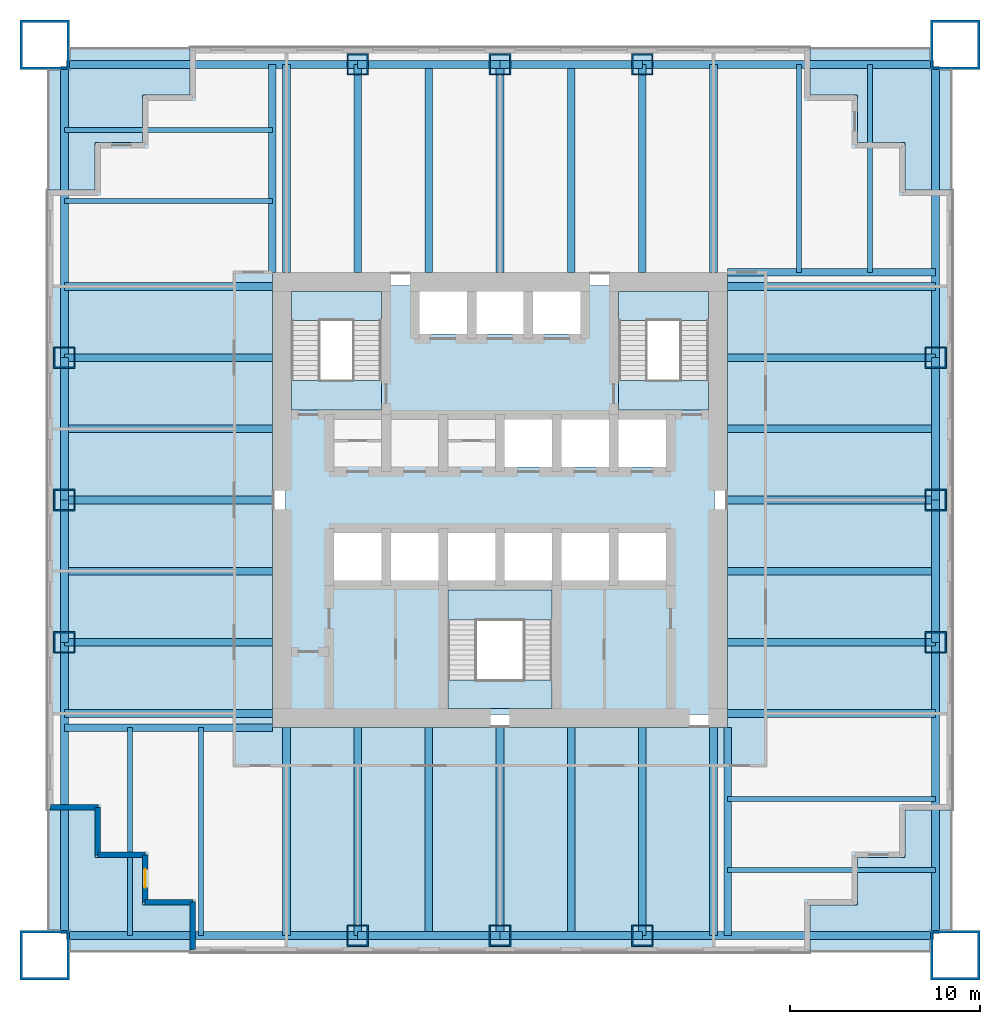
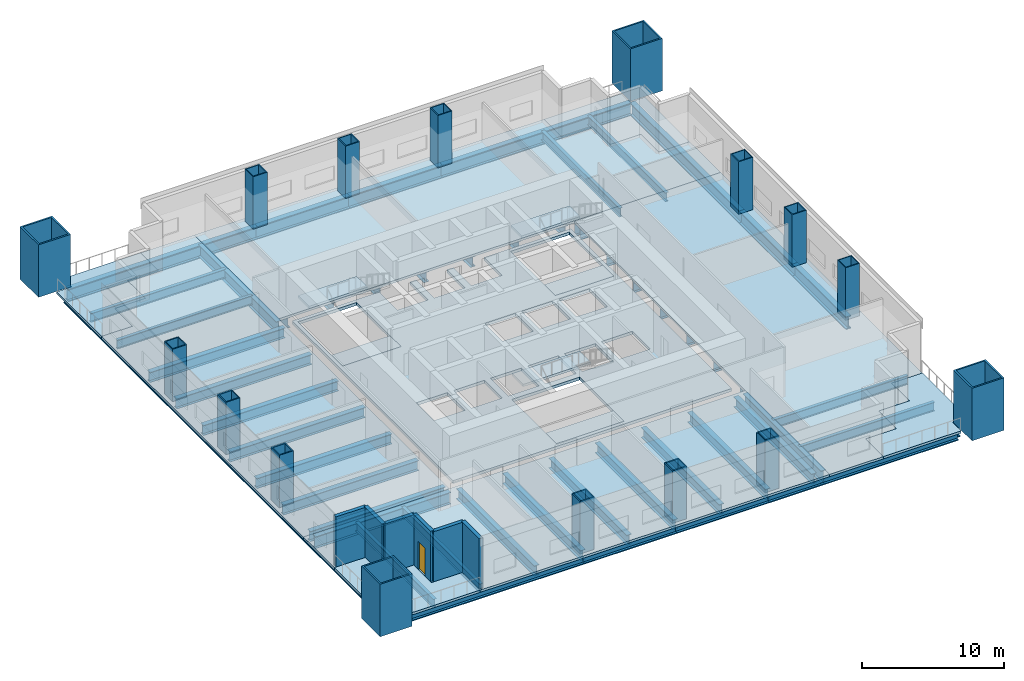
# One storey, part 1 of 7: 56 beams, 16 columns, 15 slabs, 6 walls, 1 door, 1 opening, 3 elements without a shape of their own.
"""IFC4 building model written with IfcOpenShell, lengths in metres."""

import ifcopenshell
import ifcopenshell.guid

model = None  # the IFC model being written
_history = None  # IfcOwnerHistory: only IFC2X3 demands one
_inside = {}  # id of a spatial element -> (the spatial element, [elements in it])
_under = {}  # id of a project, library or spatial element -> (it, [spatial elements below it])
_declared = {}  # id of a project -> (the project, [libraries it declares])
_typed = {}  # id of a type object -> (the type object, [elements of that type])
_made_of = {}  # id of a material, layer set ... -> (it, [elements and type objects made of it])


def new_model(schema):
    """Start an empty IFC model of exactly this schema.

    Asked for "IFC4X3", IfcOpenShell would pick the latest addendum, in which some entities
    have other attributes; the version numbers below select the first issue.
    IFC2X3 requires an IfcOwnerHistory on every rooted entity: one is made here for all.
    """
    global model, _history
    if schema == "IFC4X3":
        model = ifcopenshell.file(schema_version=(4, 3, 0, 0))
    else:
        model = ifcopenshell.file(schema=schema)
    _inside.clear()
    _under.clear()
    _declared.clear()
    _typed.clear()
    _made_of.clear()
    _history = None
    if model.schema == "IFC2X3":
        org = make("IfcOrganization", Name="unknown")
        user = make(
            "IfcPersonAndOrganization",
            ThePerson=make("IfcPerson", FamilyName="unknown"),
            TheOrganization=org,
        )
        app = make(
            "IfcApplication",
            ApplicationDeveloper=org,
            Version="unknown",
            ApplicationFullName="unknown",
            ApplicationIdentifier="unknown",
        )
        _history = make(
            "IfcOwnerHistory",
            OwningUser=user,
            OwningApplication=app,
            ChangeAction="ADDED",
            CreationDate=0,
        )
    return model


def make(cls, **values):
    """One entity of the class cls with the attributes given. An attribute that is None is left unset."""
    return model.create_entity(
        cls, **{name: value for name, value in values.items() if value is not None}
    )


def rooted(cls, **values):
    """An entity with a GlobalId (a new one), such as an element, a storey or a relation."""
    return make(cls, GlobalId=ifcopenshell.guid.new(), OwnerHistory=_history, **values)


def si_unit(unit_type, name, prefix=None):
    """IfcSIUnit, for example si_unit("LENGTHUNIT", "METRE", prefix="MILLI")."""
    return make("IfcSIUnit", UnitType=unit_type, Prefix=prefix, Name=name)


def assignment(units):
    """IfcUnitAssignment: the units of a project."""
    return None if units is None else make("IfcUnitAssignment", Units=units)


def point(xyz):
    """IfcCartesianPoint."""
    return None if xyz is None else make("IfcCartesianPoint", Coordinates=xyz)


def direction(xyz):
    """IfcDirection."""
    return None if xyz is None else make("IfcDirection", DirectionRatios=xyz)


def frame(location, z_axis=None, x_axis=None):
    """IfcAxis2Placement3D, a coordinate frame: its origin and axes. An axis left out is left unset."""
    return make(
        "IfcAxis2Placement3D",
        Location=point(location),
        Axis=direction(z_axis),
        RefDirection=direction(x_axis),
    )


def frame_2d(location, x_axis=None):
    """IfcAxis2Placement2D, a coordinate frame in the plane: its origin and x axis."""
    return make(
        "IfcAxis2Placement2D", Location=point(location), RefDirection=direction(x_axis)
    )


def origin():
    """The frame at (0, 0, 0) with its axes left unset."""
    return frame((0.0, 0.0, 0.0))


def origin_2d():
    """The frame at (0, 0) in the plane with its x axis left unset."""
    return frame_2d((0.0, 0.0))


def place(relative_to, where):
    """IfcLocalPlacement: puts the frame where relative to a parent placement (None: the world)."""
    return make(
        "IfcLocalPlacement", PlacementRelTo=relative_to, RelativePlacement=where
    )


def context(
    kind, dimensions, precision=None, world=None, true_north=None, identifier=None
):
    """IfcGeometricRepresentationContext, for example the 3D "Model" context."""
    return make(
        "IfcGeometricRepresentationContext",
        ContextIdentifier=identifier,
        ContextType=kind,
        CoordinateSpaceDimension=dimensions,
        Precision=precision,
        WorldCoordinateSystem=world,
        TrueNorth=true_north,
    )


def subcontext(parent, identifier, kind, view, scale=None):
    """IfcGeometricRepresentationSubContext, for example "Body" below "Model"."""
    return make(
        "IfcGeometricRepresentationSubContext",
        ContextIdentifier=identifier,
        ContextType=kind,
        ParentContext=parent,
        TargetScale=scale,
        TargetView=view,
    )


def project(units=None, contexts=None):
    """IfcProject with its units and contexts."""
    return rooted(
        "IfcProject",
        Name="project",
        RepresentationContexts=contexts,
        UnitsInContext=assignment(units),
    )


def spatial(cls, under=None, at=None, **own):
    """A site, building, storey or space (cls), placed at a placement, below another one or the project."""
    s = rooted(cls, ObjectPlacement=at, **own)
    if under is not None:
        _under.setdefault(under.id(), (under, []))[1].append(s)
    return s


def polyline(points):
    """IfcPolyline through the points."""
    return make("IfcPolyline", Points=[point(p) for p in points])


def profile(cls, at=None, kind="AREA", **sizes):
    """A parametric profile (cls). Its sizes go by their IFC names, for example OverallWidth=200.0."""
    return make(cls, ProfileType=kind, Position=at, **sizes)


def rectangle(**sizes):
    """IfcRectangleProfileDef."""
    return profile("IfcRectangleProfileDef", **sizes)


def hollow_rectangle(**sizes):
    """IfcRectangleHollowProfileDef."""
    return profile("IfcRectangleHollowProfileDef", **sizes)


def i_section(**sizes):
    """IfcIShapeProfileDef."""
    return profile("IfcIShapeProfileDef", **sizes)


def outline(outer, holes=None, kind="AREA"):
    """IfcArbitraryClosedProfileDef: a profile drawn as a closed curve; with holes, ...WithVoids."""
    if holes is None:
        return make("IfcArbitraryClosedProfileDef", ProfileType=kind, OuterCurve=outer)
    return make(
        "IfcArbitraryProfileDefWithVoids",
        ProfileType=kind,
        OuterCurve=outer,
        InnerCurves=holes,
    )


def extrude(swept, where, along, depth):
    """IfcExtrudedAreaSolid: the profile swept, set in the frame where, extruded along a direction by depth."""
    return make(
        "IfcExtrudedAreaSolid",
        SweptArea=swept,
        Position=where,
        ExtrudedDirection=direction(along),
        Depth=depth,
    )


def shape(context_of_items, identifier, shape_type, items):
    """IfcShapeRepresentation: the items that make up one representation, for example the "Body"."""
    return make(
        "IfcShapeRepresentation",
        ContextOfItems=context_of_items,
        RepresentationIdentifier=identifier,
        RepresentationType=shape_type,
        Items=items,
    )


def material(Name=None, Category=None):
    """IfcMaterial."""
    return make("IfcMaterial", Name=Name, Category=Category)


def layer(
    of_material, thickness, ventilated=None, Name=None, Category=None, Priority=None
):
    """IfcMaterialLayer: one layer of a wall or slab, of a material (None: an air gap)."""
    return make(
        "IfcMaterialLayer",
        Material=of_material,
        LayerThickness=thickness,
        IsVentilated=ventilated,
        Name=Name,
        Category=Category,
        Priority=Priority,
    )


def layer_set(layers, Name=None):
    """IfcMaterialLayerSet."""
    return make("IfcMaterialLayerSet", MaterialLayers=layers, LayerSetName=Name)


def material_profile(
    of_material, cross_section, Name=None, Category=None, Priority=None
):
    """IfcMaterialProfile: a cross section and its material."""
    return make(
        "IfcMaterialProfile",
        Name=Name,
        Material=of_material,
        Profile=cross_section,
        Priority=Priority,
        Category=Category,
    )


def profile_set(profiles, Name=None, composite=None):
    """IfcMaterialProfileSet."""
    return make(
        "IfcMaterialProfileSet",
        Name=Name,
        MaterialProfiles=profiles,
        CompositeProfile=composite,
    )


def made_of(thing, what):
    """Note that an element or type object is made of a material, layer set ...; save() writes the relation."""
    if what is not None:
        _made_of.setdefault(what.id(), (what, []))[1].append(thing)
    return thing


def type_object(cls, material=None, **own):
    """A type object (cls), such as IfcWallType, which elements share."""
    return made_of(rooted(cls, **own), material)


def element(
    cls,
    number,
    at=None,
    inside=None,
    cuts=None,
    type_object=None,
    material=None,
    context=None,
    identifier="Body",
    shape_type=None,
    held_by="IfcProductDefinitionShape",
    body=None,
    shapes=None,
    **own,
):
    """One element of the class cls, such as IfcWall. Its Tag is "e" and its number.

    at: its placement. inside: the storey or other place that contains it. cuts: it is an
    opening in that element (IfcRelVoidsElement). A single representation is given by context,
    identifier, shape_type and body (its items); several are given by shapes. held_by: the class
    of the entity that holds the representations. save() writes the other relations.
    """
    e = rooted(cls, Tag="e%d" % number, ObjectPlacement=at, **own)
    if body is not None:
        shapes = [shape(context, identifier, shape_type, body)]
    if shapes is not None:
        e.Representation = make(held_by, Representations=shapes)
    if inside is not None:
        _inside.setdefault(inside.id(), (inside, []))[1].append(e)
    if cuts is not None:
        rooted(
            "IfcRelVoidsElement", RelatingBuildingElement=cuts, RelatedOpeningElement=e
        )
    if type_object is not None:
        _typed.setdefault(type_object.id(), (type_object, []))[1].append(e)
    return made_of(e, material)


def fill(opening, filler):
    """IfcRelFillsElement: the door or window that sits in an opening."""
    return rooted(
        "IfcRelFillsElement",
        RelatingOpeningElement=opening,
        RelatedBuildingElement=filler,
    )


def aggregate(whole, parts):
    """IfcRelAggregates: a whole, such as a stair, and the parts it consists of."""
    return rooted("IfcRelAggregates", RelatingObject=whole, RelatedObjects=parts)


def save(model, path):
    """Write the relations noted so far, then the file.

    IfcRelAggregates (storeys below a building ...), IfcRelContainedInSpatialStructure (elements
    in a storey), IfcRelDefinesByType, IfcRelAssociatesMaterial and IfcRelDeclares: one each for
    every whole, place, type object, material and project.
    """
    for whole, parts in _under.values():
        aggregate(whole, parts)
    for where, things in _inside.values():
        rooted(
            "IfcRelContainedInSpatialStructure",
            RelatedElements=things,
            RelatingStructure=where,
        )
    for kind, things in _typed.values():
        rooted("IfcRelDefinesByType", RelatedObjects=things, RelatingType=kind)
    for what, things in _made_of.values():
        rooted("IfcRelAssociatesMaterial", RelatedObjects=things, RelatingMaterial=what)
    for by, libraries in _declared.values():
        rooted("IfcRelDeclares", RelatingContext=by, RelatedDefinitions=libraries)
    model.write(path)


model = new_model("IFC4")

# Units and contexts
model_context = context("Model", 3, precision=1e-05, world=origin(), true_north=direction((0.0, 1.0)))
body_context = subcontext(model_context, "Body", "Model", "MODEL_VIEW")
ifc_project = project(units=[si_unit("LENGTHUNIT", "METRE"), si_unit("AREAUNIT", "SQUARE_METRE"), si_unit("VOLUMEUNIT", "CUBIC_METRE"), si_unit("PLANEANGLEUNIT", "RADIAN"), si_unit("MASSUNIT", "GRAM", prefix="KILO")], contexts=[model_context])

# Site, building, storey
site_placement = place(None, origin())
site = spatial("IfcSite", under=ifc_project, at=site_placement, CompositionType="ELEMENT")
building_placement = place(site_placement, origin())
building = spatial("IfcBuilding", under=site, at=building_placement, Name="Tarangal Relay Tower", CompositionType="ELEMENT")
storey_placement = place(building_placement, frame((0.0, 0.0, 144.89990234375)))
storey = spatial("IfcBuildingStorey", under=building, at=storey_placement, Name="L29", CompositionType="ELEMENT", Elevation=144.89990234375)

# Columns
ifc_material_1 = material(Name="Steel ASTM A572 Grade 42", Category="steel")
ifc_material_profile_1 = material_profile(ifc_material_1, hollow_rectangle(XDim=2.60009765625, YDim=2.60009765625, WallThickness=0.1298828125, at=origin_2d()), Name="BOX2600X2600X130")
ifc_profile_set_1 = profile_set([ifc_material_profile_1], Name="Steel ASTM A572 Grade 42")
column_type_1 = type_object("IfcColumnType", Name="Mega column BOX2600X2600X130", PredefinedType="COLUMN", material=ifc_profile_set_1)
for number, where, z_axis, x_axis, name in (
    (1, (24.0, 24.0, 0.0), (0.0, 0.0, 1.0), (1.0, 0.0, 0.0), "Mega column MC2 NE L29"),
    (2, (24.0, -24.0, 0.0), (0.0, 0.0, 1.0), (1.0, 0.0, 0.0), "Mega column MC2 SE L29"),
    (3, (-24.0, -24.0, 0.0), (0.0, 0.0, 1.0), (1.0, 0.0, 0.0), "Mega column MC2 SW L29"),
    (4, (-24.0, 24.0, 0.0), (0.0, 0.0, 1.0), (1.0, 0.0, 0.0), "Mega column MC2 NW L29"),
):
    element("IfcColumn", number, at=place(storey_placement, frame(where, z_axis=z_axis, x_axis=x_axis)), inside=storey, type_object=column_type_1, Name=name, PredefinedType="COLUMN", context=body_context, shape_type="SweptSolid", body=[
        extrude(hollow_rectangle(XDim=2.60009765625, YDim=2.60009765625, WallThickness=0.1298828125, at=origin_2d()), origin(), (0.0, 0.0, 1.0), 4.5),
    ])
ifc_material_2 = material(Name="Steel ASTM A572 Grade 50", Category="steel")
ifc_material_profile_2 = material_profile(ifc_material_2, hollow_rectangle(XDim=1.14990234375, YDim=1.14990234375, WallThickness=0.074951171875, at=origin_2d()), Name="BOX1150X1150X75")
ifc_profile_set_2 = profile_set([ifc_material_profile_2], Name="Steel ASTM A572 Grade 50")
column_type_2 = type_object("IfcColumnType", Name="Perimeter column BOX1150X1150X75", PredefinedType="COLUMN", material=ifc_profile_set_2)
for number, where, z_axis, x_axis, name in (
    (5, (-7.5, 22.965087890625, 0.0), (0.0, 0.0, 1.0), (1.0, 0.0, 0.0), "Perimeter column PC3 N L29"),
    (6, (0.0, 22.965087890625, 0.0), (0.0, 0.0, 1.0), (1.0, 0.0, 0.0), "Perimeter column PC3 N L29"),
    (7, (7.5, 22.965087890625, 0.0), (0.0, 0.0, 1.0), (1.0, 0.0, 0.0), "Perimeter column PC3 N L29"),
    (8, (22.965087890625, 7.5, 0.0), (0.0, 0.0, 1.0), (1.0, 0.0, 0.0), "Perimeter column PC3 E L29"),
    (9, (22.965087890625, 0.0, 0.0), (0.0, 0.0, 1.0), (1.0, 0.0, 0.0), "Perimeter column PC3 E L29"),
    (10, (22.965087890625, -7.5, 0.0), (0.0, 0.0, 1.0), (1.0, 0.0, 0.0), "Perimeter column PC3 E L29"),
    (11, (7.5, -22.965087890625, 0.0), (0.0, 0.0, 1.0), (1.0, 0.0, 0.0), "Perimeter column PC3 S L29"),
    (12, (0.0, -22.965087890625, 0.0), (0.0, 0.0, 1.0), (1.0, 0.0, 0.0), "Perimeter column PC3 S L29"),
    (13, (-7.5, -22.965087890625, 0.0), (0.0, 0.0, 1.0), (1.0, 0.0, 0.0), "Perimeter column PC3 S L29"),
    (14, (-22.965087890625, -7.5, 0.0), (0.0, 0.0, 1.0), (1.0, 0.0, 0.0), "Perimeter column PC3 W L29"),
    (15, (-22.965087890625, 0.0, 0.0), (0.0, 0.0, 1.0), (1.0, 0.0, 0.0), "Perimeter column PC3 W L29"),
    (16, (-22.965087890625, 7.5, 0.0), (0.0, 0.0, 1.0), (1.0, 0.0, 0.0), "Perimeter column PC3 W L29"),
):
    element("IfcColumn", number, at=place(storey_placement, frame(where, z_axis=z_axis, x_axis=x_axis)), inside=storey, type_object=column_type_2, Name=name, PredefinedType="COLUMN", context=body_context, shape_type="SweptSolid", body=[
        extrude(hollow_rectangle(XDim=1.14990234375, YDim=1.14990234375, WallThickness=0.074951171875, at=origin_2d()), origin(), (0.0, 0.0, 1.0), 4.5),
    ])

# Beams
ifc_material_3 = material(Name="Steel ASTM A992", Category="steel")
ifc_material_profile_3 = material_profile(ifc_material_3, i_section(OverallWidth=0.2666015625, OverallDepth=0.76953125, WebThickness=0.015625, FlangeThickness=0.025390625, at=origin_2d()), Name="W30X132")
ifc_profile_set_3 = profile_set([ifc_material_profile_3], Name="Steel ASTM A992")
beam_type_1 = type_object("IfcBeamType", Name="Corner beam W30X132", PredefinedType="JOIST", material=ifc_profile_set_3)
for number, where, z_axis, x_axis, name in (
    (17, (15.75, 12.0, -0.584716796875), (0.0, 1.0, 0.0), (-1.0, 0.0, 0.0), "Corner beam CB13 N L29"),
    (18, (19.5, 12.0, -0.584716796875), (0.0, 1.0, 0.0), (-1.0, 0.0, 0.0), "Corner beam CB13 N L29"),
    (19, (12.0, -15.75, -0.584716796875), (1.0, 0.0, 0.0), (0.0, 1.0, 0.0), "Corner beam CB13 E L29"),
    (20, (12.0, -19.5, -0.584716796875), (1.0, 0.0, 0.0), (0.0, 1.0, 0.0), "Corner beam CB13 E L29"),
    (21, (-15.75, -12.0, -0.584716796875), (0.0, -1.0, 0.0), (1.0, 0.0, 0.0), "Corner beam CB13 S L29"),
    (22, (-19.5, -12.0, -0.584716796875), (0.0, -1.0, 0.0), (1.0, 0.0, 0.0), "Corner beam CB13 S L29"),
    (23, (-12.0, 15.75, -0.584716796875), (-1.0, 0.0, 0.0), (0.0, -1.0, 0.0), "Corner beam CB13 W L29"),
    (24, (-12.0, 19.5, -0.584716796875), (-1.0, 0.0, 0.0), (0.0, -1.0, 0.0), "Corner beam CB13 W L29"),
):
    element("IfcBeam", number, at=place(storey_placement, frame(where, z_axis=z_axis, x_axis=x_axis)), inside=storey, type_object=beam_type_1, Name=name, PredefinedType="JOIST", context=body_context, shape_type="SweptSolid", body=[
        extrude(i_section(OverallWidth=0.2666015625, OverallDepth=0.76953125, WebThickness=0.015625, FlangeThickness=0.025390625, at=origin_2d()), origin(), (0.0, 0.0, 1.0), 10.965087890625),
    ])
ifc_material_profile_4 = material_profile(ifc_material_3, i_section(OverallWidth=0.4013671875, OverallDepth=1.01611328125, WebThickness=0.02099609375, FlangeThickness=0.0400390625, at=origin_2d()), Name="W40X277")
ifc_profile_set_4 = profile_set([ifc_material_profile_4], Name="Steel ASTM A992")
beam_type_2 = type_object("IfcBeamType", Name="Corner girder W40X277", PredefinedType="BEAM", material=ifc_profile_set_4)
for number, where, z_axis, x_axis, name in (
    (25, (12.0, 12.0, -0.7080078125), (1.0, 0.0, 0.0), (0.0, 1.0, 0.0), "Corner girder CG3 N L29"),
    (26, (12.0, -12.0, -0.7080078125), (0.0, -1.0, 0.0), (1.0, 0.0, 0.0), "Corner girder CG3 E L29"),
    (27, (-12.0, -12.0, -0.7080078125), (-1.0, 0.0, 0.0), (0.0, -1.0, 0.0), "Corner girder CG3 S L29"),
    (28, (-12.0, 12.0, -0.7080078125), (0.0, 1.0, 0.0), (-1.0, 0.0, 0.0), "Corner girder CG3 W L29"),
):
    element("IfcBeam", number, at=place(storey_placement, frame(where, z_axis=z_axis, x_axis=x_axis)), inside=storey, type_object=beam_type_2, Name=name, PredefinedType="BEAM", context=body_context, shape_type="SweptSolid", body=[
        extrude(i_section(OverallWidth=0.4013671875, OverallDepth=1.01611328125, WebThickness=0.02099609375, FlangeThickness=0.0400390625, at=origin_2d()), origin(), (0.0, 0.0, 1.0), 10.965087890625),
    ])
ifc_material_profile_5 = material_profile(ifc_material_3, i_section(OverallWidth=0.42431640625, OverallDepth=1.09228515625, WebThickness=0.04541015625, FlangeThickness=0.08203125, at=origin_2d()), Name="W40X593")
ifc_profile_set_5 = profile_set([ifc_material_profile_5], Name="Steel ASTM A992")
beam_type_3 = type_object("IfcBeamType", Name="Edge girder W40X593", PredefinedType="SPANDREL", material=ifc_profile_set_5)
beam_1_placement = place(storey_placement, frame((-22.85009765625, 22.965087890625, -0.74609375), z_axis=(1.0, 0.0, 0.0), x_axis=(0.0, 1.0, 0.0)))
element("IfcBeam", 29, at=beam_1_placement, inside=storey, type_object=beam_type_3, Name="Edge girder EG9 N L29", PredefinedType="SPANDREL", context=body_context, shape_type="SweptSolid", body=[
    extrude(i_section(OverallWidth=0.42431640625, OverallDepth=1.09228515625, WebThickness=0.04541015625, FlangeThickness=0.08203125, at=origin_2d()), origin(), (0.0, 0.0, 1.0), 15.35009765625),
])
for number, where, z_axis, x_axis, name in (
    (30, (-7.5, 22.965087890625, -0.74609375), (1.0, 0.0, 0.0), (0.0, 1.0, 0.0), "Edge girder EG9 N L29"),
    (31, (0.0, 22.965087890625, -0.74609375), (1.0, 0.0, 0.0), (0.0, 1.0, 0.0), "Edge girder EG9 N L29"),
):
    element("IfcBeam", number, at=place(storey_placement, frame(where, z_axis=z_axis, x_axis=x_axis)), inside=storey, type_object=beam_type_3, Name=name, PredefinedType="SPANDREL", context=body_context, shape_type="SweptSolid", body=[
        extrude(i_section(OverallWidth=0.42431640625, OverallDepth=1.09228515625, WebThickness=0.04541015625, FlangeThickness=0.08203125, at=origin_2d()), origin(), (0.0, 0.0, 1.0), 7.5),
    ])
for number, where, z_axis, x_axis, name in (
    (32, (7.5, 22.965087890625, -0.74609375), (1.0, 0.0, 0.0), (0.0, 1.0, 0.0), "Edge girder EG9 N L29"),
    (33, (22.965087890625, 22.85009765625, -0.74609375), (0.0, -1.0, 0.0), (1.0, 0.0, 0.0), "Edge girder EG9 E L29"),
):
    element("IfcBeam", number, at=place(storey_placement, frame(where, z_axis=z_axis, x_axis=x_axis)), inside=storey, type_object=beam_type_3, Name=name, PredefinedType="SPANDREL", context=body_context, shape_type="SweptSolid", body=[
        extrude(i_section(OverallWidth=0.42431640625, OverallDepth=1.09228515625, WebThickness=0.04541015625, FlangeThickness=0.08203125, at=origin_2d()), origin(), (0.0, 0.0, 1.0), 15.35009765625),
    ])
for number, where, z_axis, x_axis, name in (
    (34, (22.965087890625, 7.5, -0.74609375), (0.0, -1.0, 0.0), (1.0, 0.0, 0.0), "Edge girder EG9 E L29"),
    (35, (22.965087890625, 0.0, -0.74609375), (0.0, -1.0, 0.0), (1.0, 0.0, 0.0), "Edge girder EG9 E L29"),
):
    element("IfcBeam", number, at=place(storey_placement, frame(where, z_axis=z_axis, x_axis=x_axis)), inside=storey, type_object=beam_type_3, Name=name, PredefinedType="SPANDREL", context=body_context, shape_type="SweptSolid", body=[
        extrude(i_section(OverallWidth=0.42431640625, OverallDepth=1.09228515625, WebThickness=0.04541015625, FlangeThickness=0.08203125, at=origin_2d()), origin(), (0.0, 0.0, 1.0), 7.5),
    ])
for number, where, z_axis, x_axis, name in (
    (36, (22.965087890625, -7.5, -0.74609375), (0.0, -1.0, 0.0), (1.0, 0.0, 0.0), "Edge girder EG9 E L29"),
    (37, (22.85009765625, -22.965087890625, -0.74609375), (-1.0, 0.0, 0.0), (0.0, -1.0, 0.0), "Edge girder EG9 S L29"),
):
    element("IfcBeam", number, at=place(storey_placement, frame(where, z_axis=z_axis, x_axis=x_axis)), inside=storey, type_object=beam_type_3, Name=name, PredefinedType="SPANDREL", context=body_context, shape_type="SweptSolid", body=[
        extrude(i_section(OverallWidth=0.42431640625, OverallDepth=1.09228515625, WebThickness=0.04541015625, FlangeThickness=0.08203125, at=origin_2d()), origin(), (0.0, 0.0, 1.0), 15.35009765625),
    ])
for number, where, z_axis, x_axis, name in (
    (38, (7.5, -22.965087890625, -0.74609375), (-1.0, 0.0, 0.0), (0.0, -1.0, 0.0), "Edge girder EG9 S L29"),
    (39, (0.0, -22.965087890625, -0.74609375), (-1.0, 0.0, 0.0), (0.0, -1.0, 0.0), "Edge girder EG9 S L29"),
):
    element("IfcBeam", number, at=place(storey_placement, frame(where, z_axis=z_axis, x_axis=x_axis)), inside=storey, type_object=beam_type_3, Name=name, PredefinedType="SPANDREL", context=body_context, shape_type="SweptSolid", body=[
        extrude(i_section(OverallWidth=0.42431640625, OverallDepth=1.09228515625, WebThickness=0.04541015625, FlangeThickness=0.08203125, at=origin_2d()), origin(), (0.0, 0.0, 1.0), 7.5),
    ])
for number, where, z_axis, x_axis, name in (
    (40, (-7.5, -22.965087890625, -0.74609375), (-1.0, 0.0, 0.0), (0.0, -1.0, 0.0), "Edge girder EG9 S L29"),
    (41, (-22.965087890625, -22.85009765625, -0.74609375), (0.0, 1.0, 0.0), (-1.0, 0.0, 0.0), "Edge girder EG9 W L29"),
):
    element("IfcBeam", number, at=place(storey_placement, frame(where, z_axis=z_axis, x_axis=x_axis)), inside=storey, type_object=beam_type_3, Name=name, PredefinedType="SPANDREL", context=body_context, shape_type="SweptSolid", body=[
        extrude(i_section(OverallWidth=0.42431640625, OverallDepth=1.09228515625, WebThickness=0.04541015625, FlangeThickness=0.08203125, at=origin_2d()), origin(), (0.0, 0.0, 1.0), 15.35009765625),
    ])
for number, where, z_axis, x_axis, name in (
    (42, (-22.965087890625, -7.5, -0.74609375), (0.0, 1.0, 0.0), (-1.0, 0.0, 0.0), "Edge girder EG9 W L29"),
    (43, (-22.965087890625, 0.0, -0.74609375), (0.0, 1.0, 0.0), (-1.0, 0.0, 0.0), "Edge girder EG9 W L29"),
):
    element("IfcBeam", number, at=place(storey_placement, frame(where, z_axis=z_axis, x_axis=x_axis)), inside=storey, type_object=beam_type_3, Name=name, PredefinedType="SPANDREL", context=body_context, shape_type="SweptSolid", body=[
        extrude(i_section(OverallWidth=0.42431640625, OverallDepth=1.09228515625, WebThickness=0.04541015625, FlangeThickness=0.08203125, at=origin_2d()), origin(), (0.0, 0.0, 1.0), 7.5),
    ])
beam_2_placement = place(storey_placement, frame((-22.965087890625, 7.5, -0.74609375), z_axis=(0.0, 1.0, 0.0), x_axis=(-1.0, 0.0, 0.0)))
element("IfcBeam", 44, at=beam_2_placement, inside=storey, type_object=beam_type_3, Name="Edge girder EG9 W L29", PredefinedType="SPANDREL", context=body_context, shape_type="SweptSolid", body=[
    extrude(i_section(OverallWidth=0.42431640625, OverallDepth=1.09228515625, WebThickness=0.04541015625, FlangeThickness=0.08203125, at=origin_2d()), origin(), (0.0, 0.0, 1.0), 15.35009765625),
])
ifc_material_profile_6 = material_profile(ifc_material_3, i_section(OverallWidth=0.40380859375, OverallDepth=0.86865234375, WebThickness=0.02099609375, FlangeThickness=0.03564453125, at=origin_2d()), Name="W33X241")
ifc_profile_set_6 = profile_set([ifc_material_profile_6], Name="Steel ASTM A992")
beam_type_4 = type_object("IfcBeamType", Name="Floor beam W33X241", PredefinedType="BEAM", material=ifc_profile_set_6)
for number, where, z_axis, x_axis, name in (
    (45, (-11.25, 12.0, -0.63427734375), (0.0, 1.0, 0.0), (-1.0, 0.0, 0.0), "Floor beam RB11 N L29"),
    (46, (-7.5, 12.0, -0.63427734375), (0.0, 1.0, 0.0), (-1.0, 0.0, 0.0), "Floor beam RB11 N L29"),
    (47, (-3.75, 12.0, -0.63427734375), (0.0, 1.0, 0.0), (-1.0, 0.0, 0.0), "Floor beam RB11 N L29"),
    (48, (0.0, 12.0, -0.63427734375), (0.0, 1.0, 0.0), (-1.0, 0.0, 0.0), "Floor beam RB11 N L29"),
    (49, (3.75, 12.0, -0.63427734375), (0.0, 1.0, 0.0), (-1.0, 0.0, 0.0), "Floor beam RB11 N L29"),
    (50, (7.5, 12.0, -0.63427734375), (0.0, 1.0, 0.0), (-1.0, 0.0, 0.0), "Floor beam RB11 N L29"),
    (51, (11.25, 12.0, -0.63427734375), (0.0, 1.0, 0.0), (-1.0, 0.0, 0.0), "Floor beam RB11 N L29"),
    (52, (12.0, 11.25, -0.63427734375), (1.0, 0.0, 0.0), (0.0, 1.0, 0.0), "Floor beam RB11 E L29"),
    (53, (12.0, 7.5, -0.63427734375), (1.0, 0.0, 0.0), (0.0, 1.0, 0.0), "Floor beam RB11 E L29"),
    (54, (12.0, 3.75, -0.63427734375), (1.0, 0.0, 0.0), (0.0, 1.0, 0.0), "Floor beam RB11 E L29"),
    (55, (12.0, 0.0, -0.63427734375), (1.0, 0.0, 0.0), (0.0, 1.0, 0.0), "Floor beam RB11 E L29"),
    (56, (12.0, -3.75, -0.63427734375), (1.0, 0.0, 0.0), (0.0, 1.0, 0.0), "Floor beam RB11 E L29"),
    (57, (12.0, -7.5, -0.63427734375), (1.0, 0.0, 0.0), (0.0, 1.0, 0.0), "Floor beam RB11 E L29"),
    (58, (12.0, -11.25, -0.63427734375), (1.0, 0.0, 0.0), (0.0, 1.0, 0.0), "Floor beam RB11 E L29"),
    (59, (11.25, -12.0, -0.63427734375), (0.0, -1.0, 0.0), (1.0, 0.0, 0.0), "Floor beam RB11 S L29"),
    (60, (7.5, -12.0, -0.63427734375), (0.0, -1.0, 0.0), (1.0, 0.0, 0.0), "Floor beam RB11 S L29"),
    (61, (3.75, -12.0, -0.63427734375), (0.0, -1.0, 0.0), (1.0, 0.0, 0.0), "Floor beam RB11 S L29"),
    (62, (0.0, -12.0, -0.63427734375), (0.0, -1.0, 0.0), (1.0, 0.0, 0.0), "Floor beam RB11 S L29"),
    (63, (-3.75, -12.0, -0.63427734375), (0.0, -1.0, 0.0), (1.0, 0.0, 0.0), "Floor beam RB11 S L29"),
    (64, (-7.5, -12.0, -0.63427734375), (0.0, -1.0, 0.0), (1.0, 0.0, 0.0), "Floor beam RB11 S L29"),
    (65, (-11.25, -12.0, -0.63427734375), (0.0, -1.0, 0.0), (1.0, 0.0, 0.0), "Floor beam RB11 S L29"),
    (66, (-12.0, -11.25, -0.63427734375), (-1.0, 0.0, 0.0), (0.0, -1.0, 0.0), "Floor beam RB11 W L29"),
    (67, (-12.0, -7.5, -0.63427734375), (-1.0, 0.0, 0.0), (0.0, -1.0, 0.0), "Floor beam RB11 W L29"),
    (68, (-12.0, -3.75, -0.63427734375), (-1.0, 0.0, 0.0), (0.0, -1.0, 0.0), "Floor beam RB11 W L29"),
    (69, (-12.0, 0.0, -0.63427734375), (-1.0, 0.0, 0.0), (0.0, -1.0, 0.0), "Floor beam RB11 W L29"),
    (70, (-12.0, 3.75, -0.63427734375), (-1.0, 0.0, 0.0), (0.0, -1.0, 0.0), "Floor beam RB11 W L29"),
    (71, (-12.0, 7.5, -0.63427734375), (-1.0, 0.0, 0.0), (0.0, -1.0, 0.0), "Floor beam RB11 W L29"),
    (72, (-12.0, 11.25, -0.63427734375), (-1.0, 0.0, 0.0), (0.0, -1.0, 0.0), "Floor beam RB11 W L29"),
):
    element("IfcBeam", number, at=place(storey_placement, frame(where, z_axis=z_axis, x_axis=x_axis)), inside=storey, type_object=beam_type_4, Name=name, PredefinedType="BEAM", context=body_context, shape_type="SweptSolid", body=[
        extrude(i_section(OverallWidth=0.40380859375, OverallDepth=0.86865234375, WebThickness=0.02099609375, FlangeThickness=0.03564453125, at=origin_2d()), origin(), (0.0, 0.0, 1.0), 10.965087890625),
    ])

# Slabs
ifc_material_4 = material(Name="Concrete fc' 35 MPa", Category="concrete")
ifc_layer_1 = layer(ifc_material_4, 0.25)
ifc_layer_set_1 = layer_set([ifc_layer_1], Name="Core floor slab 250")
slab_type_1 = type_object("IfcSlabType", Name="Core floor slab 250", PredefinedType="FLOOR", material=ifc_layer_set_1)
slab_1_placement = place(storey_placement, frame((0.0, 0.0, -0.25)))
element("IfcSlab", 73, at=slab_1_placement, inside=storey, type_object=slab_type_1, Name="Core floor slab L29", PredefinedType="FLOOR", context=body_context, shape_type="SweptSolid", body=[
    extrude(outline(polyline([(11.300048828125, 11.300048828125), (11.300048828125, -11.300048828125), (-11.300048828125, -11.300048828125), (-11.300048828125, 11.300048828125), (-4.25, 11.300048828125), (-4.25, 8.75), (-1.75, 8.75), (-1.75, 11.300048828125), (-1.25, 11.300048828125), (-1.25, 8.75), (1.25, 8.75), (1.25, 11.300048828125), (1.75, 11.300048828125), (1.75, 8.75), (4.25, 8.75), (4.25, 11.300048828125), (11.300048828125, 11.300048828125)]), holes=[polyline([(2.75, -4.75), (-2.75, -4.75), (-2.75, -11.0), (2.75, -11.0), (2.75, -4.75)]), polyline([(-6.25, -4.25), (-6.25, -1.75), (-8.75, -1.75), (-8.75, -4.25), (-6.25, -4.25)]), polyline([(-3.25, -4.25), (-3.25, -1.75), (-5.75, -1.75), (-5.75, -4.25), (-3.25, -4.25)]), polyline([(-0.25, -4.25), (-0.25, -1.75), (-2.75, -1.75), (-2.75, -4.25), (-0.25, -4.25)]), polyline([(2.75, 1.75), (2.75, 4.25), (0.25, 4.25), (0.25, 1.75), (2.75, 1.75)]), polyline([(-6.25, 4.75), (-6.25, 11.0), (-11.0, 11.0), (-11.0, 4.75), (-6.25, 4.75)]), polyline([(2.75, -4.25), (2.75, -1.75), (0.25, -1.75), (0.25, -4.25), (2.75, -4.25)]), polyline([(5.75, -4.25), (5.75, -1.75), (3.25, -1.75), (3.25, -4.25), (5.75, -4.25)]), polyline([(8.75, -4.25), (8.75, -1.75), (6.25, -1.75), (6.25, -4.25), (8.75, -4.25)]), polyline([(5.75, 1.75), (5.75, 4.25), (3.25, 4.25), (3.25, 1.75), (5.75, 1.75)]), polyline([(8.75, 1.75), (8.75, 4.25), (6.25, 4.25), (6.25, 1.75), (8.75, 1.75)]), polyline([(11.0, 4.75), (11.0, 11.0), (6.25, 11.0), (6.25, 4.75), (11.0, 4.75)])]), origin(), (0.0, 0.0, 1.0), 0.25),
])
ifc_layer_2 = layer(ifc_material_4, 0.199951171875)
ifc_layer_set_2 = layer_set([ifc_layer_2], Name="Floor slab 200")
slab_type_2 = type_object("IfcSlabType", Name="Floor slab 200", PredefinedType="FLOOR", material=ifc_layer_set_2)
slab_2_placement = place(storey_placement, frame((0.0, 0.0, -0.199951171875)))
element("IfcSlab", 74, at=slab_2_placement, inside=storey, type_object=slab_type_2, Name="Floor slab FS2 L29 north bay", PredefinedType="FLOOR", context=body_context, shape_type="SweptSolid", body=[
    extrude(outline(polyline([(16.35009765625, 23.85009765625), (16.35009765625, 21.35009765625), (18.85009765625, 21.35009765625), (18.85009765625, 18.85009765625), (21.35009765625, 18.85009765625), (21.35009765625, 16.35009765625), (23.85009765625, 16.35009765625), (23.85009765625, 12.0), (-12.0, 12.0), (-12.0, 23.85009765625), (16.35009765625, 23.85009765625)])), origin(), (0.0, 0.0, 1.0), 0.199951171875),
])
slab_3_placement = place(storey_placement, frame((0.0, 0.0, -0.199951171875)))
element("IfcSlab", 75, at=slab_3_placement, inside=storey, type_object=slab_type_2, Name="Floor slab FS2 L29 east bay", PredefinedType="FLOOR", context=body_context, shape_type="SweptSolid", body=[
    extrude(outline(polyline([(23.85009765625, -16.35009765625), (21.35009765625, -16.35009765625), (21.35009765625, -18.85009765625), (18.85009765625, -18.85009765625), (18.85009765625, -21.35009765625), (16.35009765625, -21.35009765625), (16.35009765625, -23.85009765625), (12.0, -23.85009765625), (12.0, 12.0), (23.85009765625, 12.0), (23.85009765625, -16.35009765625)])), origin(), (0.0, 0.0, 1.0), 0.199951171875),
])
slab_4_placement = place(storey_placement, frame((0.0, 0.0, -0.199951171875)))
element("IfcSlab", 76, at=slab_4_placement, inside=storey, type_object=slab_type_2, Name="Floor slab FS2 L29 south bay", PredefinedType="FLOOR", context=body_context, shape_type="SweptSolid", body=[
    extrude(outline(polyline([(-16.35009765625, -23.85009765625), (-16.35009765625, -21.35009765625), (-18.85009765625, -21.35009765625), (-18.85009765625, -18.85009765625), (-21.35009765625, -18.85009765625), (-21.35009765625, -16.35009765625), (-23.85009765625, -16.35009765625), (-23.85009765625, -12.0), (12.0, -12.0), (12.0, -23.85009765625), (-16.35009765625, -23.85009765625)])), origin(), (0.0, 0.0, 1.0), 0.199951171875),
])
slab_5_placement = place(storey_placement, frame((0.0, 0.0, -0.199951171875)))
element("IfcSlab", 77, at=slab_5_placement, inside=storey, type_object=slab_type_2, Name="Floor slab FS2 L29 west bay", PredefinedType="FLOOR", context=body_context, shape_type="SweptSolid", body=[
    extrude(outline(polyline([(-12.0, 23.85009765625), (-12.0, -12.0), (-23.85009765625, -12.0), (-23.85009765625, 16.35009765625), (-21.35009765625, 16.35009765625), (-21.35009765625, 18.85009765625), (-18.85009765625, 18.85009765625), (-18.85009765625, 21.35009765625), (-16.35009765625, 21.35009765625), (-16.35009765625, 23.85009765625), (-12.0, 23.85009765625)])), origin(), (0.0, 0.0, 1.0), 0.199951171875),
])

# Stair, slabs
ifc_material_5 = material(Name="Steel ASTM A992 stair flight", Category="steel")
stair_type = type_object("IfcStairType", Name="Core stair 1500", PredefinedType="HALF_TURN_STAIR", material=ifc_material_5)
stair_1_placement = place(storey_placement, origin())
stair_1 = element("IfcStair", 78, at=stair_1_placement, inside=storey, type_object=stair_type, Name="Stair ST-A L29", PredefinedType="HALF_TURN_STAIR")
ifc_layer_3 = layer(ifc_material_4, 0.199951171875)
ifc_layer_set_3 = layer_set([ifc_layer_3], Name="Stair landing 200")
slab_type_3 = type_object("IfcSlabType", Name="Stair landing 200", PredefinedType="LANDING", material=ifc_layer_set_3)
slab_6_placement = place(storey_placement, frame((0.0, 0.0, -0.199951171875)))
slab_6 = element("IfcSlab", 79, at=slab_6_placement, type_object=slab_type_3, Name="ST-A landing 1", PredefinedType="LANDING", context=body_context, shape_type="SweptSolid", body=[
    extrude(outline(polyline([(-11.0, 4.75), (-6.25, 4.75), (-6.25, 6.300048828125), (-11.0, 6.300048828125), (-11.0, 4.75)])), origin(), (0.0, 0.0, 1.0), 0.199951171875),
])
slab_7_placement = place(storey_placement, frame((0.0, 0.0, 2.050048828125)))
slab_7 = element("IfcSlab", 80, at=slab_7_placement, type_object=slab_type_3, Name="ST-A landing 2", PredefinedType="LANDING", context=body_context, shape_type="SweptSolid", body=[
    extrude(outline(polyline([(-11.0, 9.468017578125), (-6.25, 9.468017578125), (-6.25, 11.0), (-11.0, 11.0), (-11.0, 9.468017578125)])), origin(), (0.0, 0.0, 1.0), 0.199951171875),
])
aggregate(stair_1, [slab_6, slab_7])

stair_2_placement = place(storey_placement, origin())
stair_2 = element("IfcStair", 81, at=stair_2_placement, inside=storey, type_object=stair_type, Name="Stair ST-B L29", PredefinedType="HALF_TURN_STAIR")
slab_8_placement = place(storey_placement, frame((0.0, 0.0, -0.199951171875)))
slab_8 = element("IfcSlab", 82, at=slab_8_placement, type_object=slab_type_3, Name="ST-B landing 1", PredefinedType="LANDING", context=body_context, shape_type="SweptSolid", body=[
    extrude(outline(polyline([(6.25, 4.75), (11.0, 4.75), (11.0, 6.300048828125), (6.25, 6.300048828125), (6.25, 4.75)])), origin(), (0.0, 0.0, 1.0), 0.199951171875),
])
slab_9_placement = place(storey_placement, frame((0.0, 0.0, 2.050048828125)))
slab_9 = element("IfcSlab", 83, at=slab_9_placement, type_object=slab_type_3, Name="ST-B landing 2", PredefinedType="LANDING", context=body_context, shape_type="SweptSolid", body=[
    extrude(outline(polyline([(6.25, 9.468017578125), (11.0, 9.468017578125), (11.0, 11.0), (6.25, 11.0), (6.25, 9.468017578125)])), origin(), (0.0, 0.0, 1.0), 0.199951171875),
])
aggregate(stair_2, [slab_8, slab_9])

stair_3_placement = place(storey_placement, origin())
stair_3 = element("IfcStair", 84, at=stair_3_placement, inside=storey, type_object=stair_type, Name="Stair ST-C L29", PredefinedType="HALF_TURN_STAIR")
slab_10_placement = place(storey_placement, frame((0.0, 0.0, -0.199951171875)))
slab_10 = element("IfcSlab", 85, at=slab_10_placement, type_object=slab_type_3, Name="ST-C landing 1", PredefinedType="LANDING", context=body_context, shape_type="SweptSolid", body=[
    extrude(outline(polyline([(-2.75, -11.0), (2.75, -11.0), (2.75, -9.5), (-2.75, -9.5), (-2.75, -11.0)])), origin(), (0.0, 0.0, 1.0), 0.199951171875),
])
slab_11_placement = place(storey_placement, frame((0.0, 0.0, 2.050048828125)))
slab_11 = element("IfcSlab", 86, at=slab_11_placement, type_object=slab_type_3, Name="ST-C landing 2", PredefinedType="LANDING", context=body_context, shape_type="SweptSolid", body=[
    extrude(outline(polyline([(-2.75, -6.33203125), (2.75, -6.33203125), (2.75, -4.75), (-2.75, -4.75), (-2.75, -6.33203125)])), origin(), (0.0, 0.0, 1.0), 0.199951171875),
])
aggregate(stair_3, [slab_10, slab_11])

# Slabs
ifc_layer_4 = layer(ifc_material_4, 0.199951171875)
ifc_layer_set_4 = layer_set([ifc_layer_4], Name="Terrace slab 200")
slab_type_4 = type_object("IfcSlabType", Name="Terrace slab 200", PredefinedType="FLOOR", material=ifc_layer_set_4)
slab_12_placement = place(storey_placement, frame((0.0, 0.0, -0.199951171875)))
element("IfcSlab", 87, at=slab_12_placement, inside=storey, type_object=slab_type_4, Name="Corner terrace NE L29", PredefinedType="FLOOR", context=body_context, shape_type="SweptSolid", body=[
    extrude(outline(polyline([(16.35009765625, 23.85009765625), (16.35009765625, 21.35009765625), (18.85009765625, 21.35009765625), (18.85009765625, 18.85009765625), (21.35009765625, 18.85009765625), (21.35009765625, 16.35009765625), (23.85009765625, 16.35009765625), (23.85009765625, 22.64990234375), (22.64990234375, 22.64990234375), (22.64990234375, 23.85009765625), (16.35009765625, 23.85009765625)])), origin(), (0.0, 0.0, 1.0), 0.199951171875),
])
slab_13_placement = place(storey_placement, frame((0.0, 0.0, -0.199951171875)))
element("IfcSlab", 88, at=slab_13_placement, inside=storey, type_object=slab_type_4, Name="Corner terrace SE L29", PredefinedType="FLOOR", context=body_context, shape_type="SweptSolid", body=[
    extrude(outline(polyline([(23.85009765625, -16.35009765625), (21.35009765625, -16.35009765625), (21.35009765625, -18.85009765625), (18.85009765625, -18.85009765625), (18.85009765625, -21.35009765625), (16.35009765625, -21.35009765625), (16.35009765625, -23.85009765625), (22.64990234375, -23.85009765625), (22.64990234375, -22.64990234375), (23.85009765625, -22.64990234375), (23.85009765625, -16.35009765625)])), origin(), (0.0, 0.0, 1.0), 0.199951171875),
])
slab_14_placement = place(storey_placement, frame((0.0, 0.0, -0.199951171875)))
element("IfcSlab", 89, at=slab_14_placement, inside=storey, type_object=slab_type_4, Name="Corner terrace SW L29", PredefinedType="FLOOR", context=body_context, shape_type="SweptSolid", body=[
    extrude(outline(polyline([(-16.35009765625, -23.85009765625), (-16.35009765625, -21.35009765625), (-18.85009765625, -21.35009765625), (-18.85009765625, -18.85009765625), (-21.35009765625, -18.85009765625), (-21.35009765625, -16.35009765625), (-23.85009765625, -16.35009765625), (-23.85009765625, -22.64990234375), (-22.64990234375, -22.64990234375), (-22.64990234375, -23.85009765625), (-16.35009765625, -23.85009765625)])), origin(), (0.0, 0.0, 1.0), 0.199951171875),
])
slab_15_placement = place(storey_placement, frame((0.0, 0.0, -0.199951171875)))
element("IfcSlab", 90, at=slab_15_placement, inside=storey, type_object=slab_type_4, Name="Corner terrace NW L29", PredefinedType="FLOOR", context=body_context, shape_type="SweptSolid", body=[
    extrude(outline(polyline([(-23.85009765625, 16.35009765625), (-21.35009765625, 16.35009765625), (-21.35009765625, 18.85009765625), (-18.85009765625, 18.85009765625), (-18.85009765625, 21.35009765625), (-16.35009765625, 21.35009765625), (-16.35009765625, 23.85009765625), (-22.64990234375, 23.85009765625), (-22.64990234375, 22.64990234375), (-23.85009765625, 22.64990234375), (-23.85009765625, 16.35009765625)])), origin(), (0.0, 0.0, 1.0), 0.199951171875),
])

# Walls
ifc_material_6 = material(Name="Insulated precast concrete fc' 40 MPa", Category="concrete")
ifc_layer_5 = layer(ifc_material_6, 0.300048828125)
ifc_layer_set_5 = layer_set([ifc_layer_5], Name="Insulated precast concrete fc' 40 MPa")
wall_type = type_object("IfcWallType", Name="Facade wall precast 300", PredefinedType="SOLIDWALL", material=ifc_layer_set_5)
for number, where, z_axis, x_axis, name in (
    (91, (-16.199951171875, -23.699951171875, 0.0), (0.0, 0.0, 1.0), (0.0, 1.0, 0.0), "Facade wall S facade L29"),
    (92, (-16.199951171875, -21.199951171875, 0.0), (0.0, 0.0, 1.0), (-1.0, 0.0, 0.0), "Facade wall S facade L29"),
):
    element("IfcWall", number, at=place(storey_placement, frame(where, z_axis=z_axis, x_axis=x_axis)), inside=storey, type_object=wall_type, Name=name, PredefinedType="SOLIDWALL", context=body_context, shape_type="SweptSolid", body=[
        extrude(rectangle(XDim=2.5, YDim=0.300048828125, at=frame_2d((1.25, 0.0))), origin(), (0.0, 0.0, 1.0), 4.300048828125),
    ])

# Wall, opening, door
wall_placement = place(storey_placement, frame((-18.699951171875, -21.199951171875, 0.0), z_axis=(0.0, 0.0, 1.0), x_axis=(0.0, 1.0, 0.0)))
wall = element("IfcWall", 93, at=wall_placement, inside=storey, type_object=wall_type, Name="Facade wall S facade L29", PredefinedType="SOLIDWALL", context=body_context, shape_type="SweptSolid", body=[
    extrude(rectangle(XDim=2.5, YDim=0.300048828125, at=frame_2d((1.25, 0.0))), origin(), (0.0, 0.0, 1.0), 4.300048828125),
])
opening_placement = place(wall_placement, frame((0.75, 0.0, 0.0)))
opening = element("IfcOpeningElement", 94, at=opening_placement, cuts=wall, Name="Opening TD1", PredefinedType="OPENING", context=body_context, shape_type="SweptSolid", body=[
    extrude(rectangle(XDim=1.0, YDim=2.39990234375, at=frame_2d((0.5, 1.199951171875))), frame((0.0, 0.159912109375, 0.0), z_axis=(0.0, -1.0, 0.0), x_axis=(1.0, 0.0, 0.0)), (0.0, 0.0, 1.0), 0.320068359375),
])
ifc_material_7 = material(Name="Aluminium glazed door", Category="aluminium")
door_type = type_object("IfcDoorType", Name="Terrace door 1000 x 2400", OperationType="SINGLE_SWING_RIGHT", PredefinedType="DOOR", material=ifc_material_7)
door_placement = place(opening_placement, origin())
door = element("IfcDoor", 95, at=door_placement, inside=storey, type_object=door_type, Name="Terrace door TD1 SW L29", OperationType="SINGLE_SWING_RIGHT", OverallHeight=2.39990234375, OverallWidth=1.0, PredefinedType="DOOR", context=body_context, shape_type="SweptSolid", body=[
    extrude(rectangle(XDim=1.0, YDim=2.39990234375, at=frame_2d((0.5, 1.199951171875))), frame((0.0, 0.02490234375, 0.0), z_axis=(0.0, -1.0, 0.0), x_axis=(1.0, 0.0, 0.0)), (0.0, 0.0, 1.0), 0.050048828125),
])
fill(opening, door)

# Walls
for number, where, z_axis, x_axis, name in (
    (96, (-18.699951171875, -18.699951171875, 0.0), (0.0, 0.0, 1.0), (-1.0, 0.0, 0.0), "Facade wall S facade L29"),
    (97, (-21.199951171875, -18.699951171875, 0.0), (0.0, 0.0, 1.0), (0.0, 1.0, 0.0), "Facade wall S facade L29"),
    (98, (-21.199951171875, -16.199951171875, 0.0), (0.0, 0.0, 1.0), (-1.0, 0.0, 0.0), "Facade wall S facade L29"),
):
    element("IfcWall", number, at=place(storey_placement, frame(where, z_axis=z_axis, x_axis=x_axis)), inside=storey, type_object=wall_type, Name=name, PredefinedType="SOLIDWALL", context=body_context, shape_type="SweptSolid", body=[
        extrude(rectangle(XDim=2.5, YDim=0.300048828125, at=frame_2d((1.25, 0.0))), origin(), (0.0, 0.0, 1.0), 4.300048828125),
    ])

save(model, "model.ifc")
